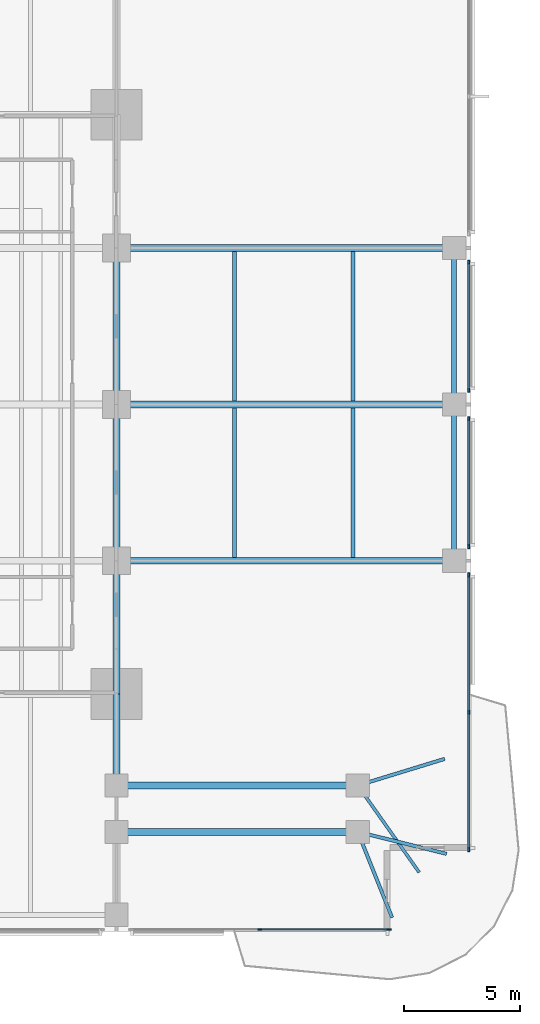
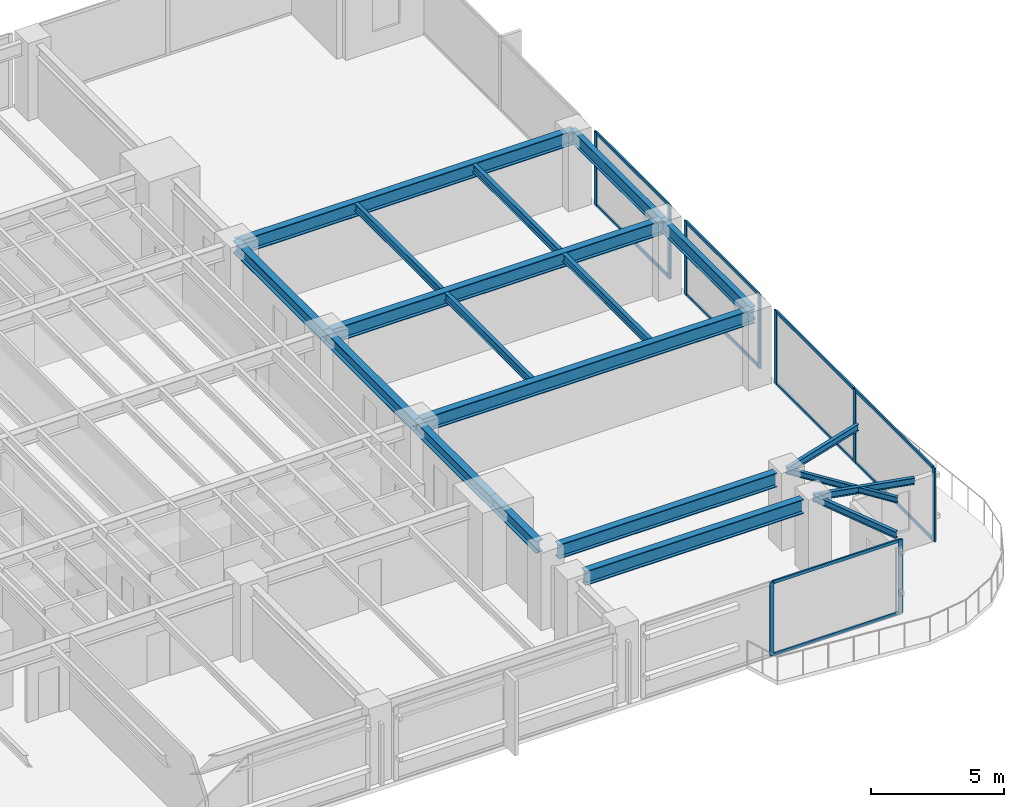
# One storey, part 4 of 15: 19 beams, 19 members, 4 elements without a shape of their own.
"""IFC4 building model written with IfcOpenShell, lengths in metres."""

from ifc_helpers import new_model, si_unit, direction, frame, origin, origin_2d, place, context, subcontext, project, spatial, rectangle, i_section, extrude, material, layer, layer_set, material_profile, profile_set, type_object, element, aggregate, save


model = new_model("IFC4")

# Units and contexts
model_context = context("Model", 3, precision=1e-05, world=origin(), true_north=direction((0.0, 1.0)))
body_context = subcontext(model_context, "Body", "Model", "MODEL_VIEW")
ifc_project = project(units=[si_unit("LENGTHUNIT", "METRE"), si_unit("AREAUNIT", "SQUARE_METRE"), si_unit("VOLUMEUNIT", "CUBIC_METRE"), si_unit("PLANEANGLEUNIT", "RADIAN"), si_unit("MASSUNIT", "GRAM", prefix="KILO")], contexts=[model_context])

# Site, building, storey
site_placement = place(None, origin())
site = spatial("IfcSite", under=ifc_project, at=site_placement, CompositionType="ELEMENT")
building_placement = place(site_placement, origin())
building = spatial("IfcBuilding", under=site, at=building_placement, Name="Kinhvarn Gate Tower", CompositionType="ELEMENT")
storey_placement = place(building_placement, frame((0.0, 0.0, 29.14990234375)))
storey = spatial("IfcBuildingStorey", under=building, at=storey_placement, Name="L06", CompositionType="ELEMENT", Elevation=29.14990234375)

# Curtain wall, members
ifc_material_1 = material(Name="Anodised aluminium AW-6063", Category="aluminium")
ifc_layer = layer(ifc_material_1, 0.179931640625)
ifc_layer_set = layer_set([ifc_layer], Name="Anodised aluminium AW-6063")
curtain_wall_type = type_object("IfcCurtainWallType", Name="CW-SYS-2", PredefinedType="NOTDEFINED", material=ifc_layer_set)
curtain_wall_1_placement = place(storey_placement, origin())
curtain_wall_1 = element("IfcCurtainWall", 1, at=curtain_wall_1_placement, inside=storey, type_object=curtain_wall_type, Name="Curtain Wall CW2 (L06)", PredefinedType="NOTDEFINED")
ifc_material_profile_1 = material_profile(ifc_material_1, rectangle(XDim=0.070068359375, YDim=0.179931640625, at=origin_2d()), Name="ALU 70x180")
ifc_profile_set_1 = profile_set([ifc_material_profile_1], Name="Anodised aluminium AW-6063")
member_type_1 = type_object("IfcMemberType", Name="CW-MUL-180", PredefinedType="MULLION", material=ifc_profile_set_1)
member_1_placement = place(storey_placement, frame((44.389892578125, 2.590087890625, 0.0), z_axis=(0.0, 0.0, 1.0), x_axis=(0.0, 1.0, 0.0)))
member_1 = element("IfcMember", 2, at=member_1_placement, type_object=member_type_1, Name="CW2 mullion 2", PredefinedType="MULLION", context=body_context, shape_type="SweptSolid", body=[
    extrude(rectangle(XDim=0.070068359375, YDim=0.179931640625, at=origin_2d()), origin(), (0.0, 0.0, 1.0), 3.3701171875),
])
member_2_placement = place(storey_placement, frame((49.965087890625, 2.590087890625, 0.0), z_axis=(0.0, 0.0, 1.0), x_axis=(0.0, 1.0, 0.0)))
member_2 = element("IfcMember", 3, at=member_2_placement, type_object=member_type_1, Name="CW2 mullion 3", PredefinedType="MULLION", context=body_context, shape_type="SweptSolid", body=[
    extrude(rectangle(XDim=0.070068359375, YDim=0.179931640625, at=origin_2d()), origin(), (0.0, 0.0, 1.0), 3.3701171875),
])

curtain_wall_2_placement = place(storey_placement, origin())
curtain_wall_2 = element("IfcCurtainWall", 4, at=curtain_wall_2_placement, inside=storey, type_object=curtain_wall_type, Name="Curtain Wall CW2 (L06)", PredefinedType="NOTDEFINED")
member_3_placement = place(storey_placement, frame((53.409912109375, 6.034912109375, 0.0), z_axis=(0.0, 0.0, 1.0), x_axis=(-1.0, 0.0, 0.0)))
member_3 = element("IfcMember", 5, at=member_3_placement, type_object=member_type_1, Name="CW2 mullion 1", PredefinedType="MULLION", context=body_context, shape_type="SweptSolid", body=[
    extrude(rectangle(XDim=0.070068359375, YDim=0.179931640625, at=origin_2d()), origin(), (0.0, 0.0, 1.0), 3.3701171875),
])
member_4_placement = place(storey_placement, frame((53.409912109375, 11.9599609375, 0.0), z_axis=(0.0, 0.0, 1.0), x_axis=(-1.0, 0.0, 0.0)))
member_4 = element("IfcMember", 6, at=member_4_placement, type_object=member_type_1, Name="CW2 mullion 2", PredefinedType="MULLION", context=body_context, shape_type="SweptSolid", body=[
    extrude(rectangle(XDim=0.070068359375, YDim=0.179931640625, at=origin_2d()), origin(), (0.0, 0.0, 1.0), 3.3701171875),
])
member_5_placement = place(storey_placement, frame((53.409912109375, 17.885009765625, 0.0), z_axis=(0.0, 0.0, 1.0), x_axis=(-1.0, 0.0, 0.0)))
member_5 = element("IfcMember", 7, at=member_5_placement, type_object=member_type_1, Name="CW2 mullion 3", PredefinedType="MULLION", context=body_context, shape_type="SweptSolid", body=[
    extrude(rectangle(XDim=0.070068359375, YDim=0.179931640625, at=origin_2d()), origin(), (0.0, 0.0, 1.0), 3.3701171875),
])

curtain_wall_3_placement = place(storey_placement, origin())
curtain_wall_3 = element("IfcCurtainWall", 8, at=curtain_wall_3_placement, inside=storey, type_object=curtain_wall_type, Name="Curtain Wall CW2 (L06)", PredefinedType="NOTDEFINED")
member_6_placement = place(storey_placement, frame((53.409912109375, 19.114990234375, 0.0), z_axis=(0.0, 0.0, 1.0), x_axis=(-1.0, 0.0, 0.0)))
member_6 = element("IfcMember", 9, at=member_6_placement, type_object=member_type_1, Name="CW2 mullion 1", PredefinedType="MULLION", context=body_context, shape_type="SweptSolid", body=[
    extrude(rectangle(XDim=0.070068359375, YDim=0.179931640625, at=origin_2d()), origin(), (0.0, 0.0, 1.0), 3.3701171875),
])
member_7_placement = place(storey_placement, frame((53.409912109375, 24.635009765625, 0.0), z_axis=(0.0, 0.0, 1.0), x_axis=(-1.0, 0.0, 0.0)))
member_7 = element("IfcMember", 10, at=member_7_placement, type_object=member_type_1, Name="CW2 mullion 2", PredefinedType="MULLION", context=body_context, shape_type="SweptSolid", body=[
    extrude(rectangle(XDim=0.070068359375, YDim=0.179931640625, at=origin_2d()), origin(), (0.0, 0.0, 1.0), 3.3701171875),
])

curtain_wall_4_placement = place(storey_placement, origin())
curtain_wall_4 = element("IfcCurtainWall", 11, at=curtain_wall_4_placement, inside=storey, type_object=curtain_wall_type, Name="Curtain Wall CW2 (L06)", PredefinedType="NOTDEFINED")
member_8_placement = place(storey_placement, frame((53.409912109375, 25.864990234375, 0.0), z_axis=(0.0, 0.0, 1.0), x_axis=(-1.0, 0.0, 0.0)))
member_8 = element("IfcMember", 12, at=member_8_placement, type_object=member_type_1, Name="CW2 mullion 1", PredefinedType="MULLION", context=body_context, shape_type="SweptSolid", body=[
    extrude(rectangle(XDim=0.070068359375, YDim=0.179931640625, at=origin_2d()), origin(), (0.0, 0.0, 1.0), 3.3701171875),
])
member_9_placement = place(storey_placement, frame((53.409912109375, 31.385009765625, 0.0), z_axis=(0.0, 0.0, 1.0), x_axis=(-1.0, 0.0, 0.0)))
member_9 = element("IfcMember", 13, at=member_9_placement, type_object=member_type_1, Name="CW2 mullion 2", PredefinedType="MULLION", context=body_context, shape_type="SweptSolid", body=[
    extrude(rectangle(XDim=0.070068359375, YDim=0.179931640625, at=origin_2d()), origin(), (0.0, 0.0, 1.0), 3.3701171875),
])

# Member
ifc_material_profile_2 = material_profile(ifc_material_1, rectangle(XDim=0.070068359375, YDim=0.139892578125, at=origin_2d()), Name="ALU 70x140")
ifc_profile_set_2 = profile_set([ifc_material_profile_2], Name="Anodised aluminium AW-6063")
member_type_2 = type_object("IfcMemberType", Name="CW-TRN-140", PredefinedType="USERDEFINED", material=ifc_profile_set_2)
member_10_placement = place(storey_placement, frame((44.425048828125, 2.590087890625, 0.03515625), z_axis=(1.0, 0.0, 0.0), x_axis=(0.0, 1.0, 0.0)))
member_10 = element("IfcMember", 14, at=member_10_placement, type_object=member_type_2, Name="CW2 transom 2.1", ObjectType="TRANSOM", PredefinedType="USERDEFINED", context=body_context, shape_type="SweptSolid", body=[
    extrude(rectangle(XDim=0.070068359375, YDim=0.139892578125, at=origin_2d()), origin(), (0.0, 0.0, 1.0), 5.5048828125),
])

member_11_placement = place(storey_placement, frame((44.425048828125, 2.590087890625, 3.335205078125), z_axis=(1.0, 0.0, 0.0), x_axis=(0.0, 1.0, 0.0)))
member_11 = element("IfcMember", 15, at=member_11_placement, type_object=member_type_2, Name="CW2 transom 2.2", ObjectType="TRANSOM", PredefinedType="USERDEFINED", context=body_context, shape_type="SweptSolid", body=[
    extrude(rectangle(XDim=0.070068359375, YDim=0.139892578125, at=origin_2d()), origin(), (0.0, 0.0, 1.0), 5.5048828125),
])

aggregate(curtain_wall_1, [member_1, member_2, member_10, member_11])

member_12_placement = place(storey_placement, frame((53.409912109375, 6.070068359375, 0.03515625), z_axis=(0.0, 1.0, 0.0), x_axis=(-1.0, 0.0, 0.0)))
member_12 = element("IfcMember", 16, at=member_12_placement, type_object=member_type_2, Name="CW2 transom 1.1", ObjectType="TRANSOM", PredefinedType="USERDEFINED", context=body_context, shape_type="SweptSolid", body=[
    extrude(rectangle(XDim=0.070068359375, YDim=0.139892578125, at=origin_2d()), origin(), (0.0, 0.0, 1.0), 5.85498046875),
])

member_13_placement = place(storey_placement, frame((53.409912109375, 6.070068359375, 3.335205078125), z_axis=(0.0, 1.0, 0.0), x_axis=(-1.0, 0.0, 0.0)))
member_13 = element("IfcMember", 17, at=member_13_placement, type_object=member_type_2, Name="CW2 transom 1.2", ObjectType="TRANSOM", PredefinedType="USERDEFINED", context=body_context, shape_type="SweptSolid", body=[
    extrude(rectangle(XDim=0.070068359375, YDim=0.139892578125, at=origin_2d()), origin(), (0.0, 0.0, 1.0), 5.85498046875),
])

member_14_placement = place(storey_placement, frame((53.409912109375, 11.9951171875, 0.03515625), z_axis=(0.0, 1.0, 0.0), x_axis=(-1.0, 0.0, 0.0)))
member_14 = element("IfcMember", 18, at=member_14_placement, type_object=member_type_2, Name="CW2 transom 2.1", ObjectType="TRANSOM", PredefinedType="USERDEFINED", context=body_context, shape_type="SweptSolid", body=[
    extrude(rectangle(XDim=0.070068359375, YDim=0.139892578125, at=origin_2d()), origin(), (0.0, 0.0, 1.0), 5.85498046875),
])

member_15_placement = place(storey_placement, frame((53.409912109375, 11.9951171875, 3.335205078125), z_axis=(0.0, 1.0, 0.0), x_axis=(-1.0, 0.0, 0.0)))
member_15 = element("IfcMember", 19, at=member_15_placement, type_object=member_type_2, Name="CW2 transom 2.2", ObjectType="TRANSOM", PredefinedType="USERDEFINED", context=body_context, shape_type="SweptSolid", body=[
    extrude(rectangle(XDim=0.070068359375, YDim=0.139892578125, at=origin_2d()), origin(), (0.0, 0.0, 1.0), 5.85498046875),
])

aggregate(curtain_wall_2, [member_3, member_4, member_5, member_12, member_13, member_14, member_15])

member_16_placement = place(storey_placement, frame((53.409912109375, 19.14990234375, 0.03515625), z_axis=(0.0, 1.0, 0.0), x_axis=(-1.0, 0.0, 0.0)))
member_16 = element("IfcMember", 20, at=member_16_placement, type_object=member_type_2, Name="CW2 transom 1.1", ObjectType="TRANSOM", PredefinedType="USERDEFINED", context=body_context, shape_type="SweptSolid", body=[
    extrude(rectangle(XDim=0.070068359375, YDim=0.139892578125, at=origin_2d()), origin(), (0.0, 0.0, 1.0), 5.4501953125),
])

member_17_placement = place(storey_placement, frame((53.409912109375, 19.14990234375, 3.335205078125), z_axis=(0.0, 1.0, 0.0), x_axis=(-1.0, 0.0, 0.0)))
member_17 = element("IfcMember", 21, at=member_17_placement, type_object=member_type_2, Name="CW2 transom 1.2", ObjectType="TRANSOM", PredefinedType="USERDEFINED", context=body_context, shape_type="SweptSolid", body=[
    extrude(rectangle(XDim=0.070068359375, YDim=0.139892578125, at=origin_2d()), origin(), (0.0, 0.0, 1.0), 5.4501953125),
])

aggregate(curtain_wall_3, [member_6, member_7, member_16, member_17])

member_18_placement = place(storey_placement, frame((53.409912109375, 25.89990234375, 0.03515625), z_axis=(0.0, 1.0, 0.0), x_axis=(-1.0, 0.0, 0.0)))
member_18 = element("IfcMember", 22, at=member_18_placement, type_object=member_type_2, Name="CW2 transom 1.1", ObjectType="TRANSOM", PredefinedType="USERDEFINED", context=body_context, shape_type="SweptSolid", body=[
    extrude(rectangle(XDim=0.070068359375, YDim=0.139892578125, at=origin_2d()), origin(), (0.0, 0.0, 1.0), 5.4501953125),
])

member_19_placement = place(storey_placement, frame((53.409912109375, 25.89990234375, 3.335205078125), z_axis=(0.0, 1.0, 0.0), x_axis=(-1.0, 0.0, 0.0)))
member_19 = element("IfcMember", 23, at=member_19_placement, type_object=member_type_2, Name="CW2 transom 1.2", ObjectType="TRANSOM", PredefinedType="USERDEFINED", context=body_context, shape_type="SweptSolid", body=[
    extrude(rectangle(XDim=0.070068359375, YDim=0.139892578125, at=origin_2d()), origin(), (0.0, 0.0, 1.0), 5.4501953125),
])

aggregate(curtain_wall_4, [member_8, member_9, member_18, member_19])

# Beams
ifc_material_2 = material(Name="Steel S355", Category="steel")
ifc_material_profile_3 = material_profile(ifc_material_2, i_section(OverallWidth=0.300048828125, OverallDepth=0.550048828125, WebThickness=0.014892578125, FlangeThickness=0.029052734375, at=origin_2d()), Name="HEB 550")
ifc_profile_set_3 = profile_set([ifc_material_profile_3], Name="Steel S355")
beam_type_1 = type_object("IfcBeamType", Name="STL-HEB550", PredefinedType="BEAM", material=ifc_profile_set_3)
beam_1_placement = place(storey_placement, frame((38.199951171875, 9.284912109375, 3.09521484375), z_axis=(0.0, 1.0, 0.0), x_axis=(-1.0, 0.0, 0.0)))
element("IfcBeam", 24, at=beam_1_placement, inside=storey, type_object=beam_type_1, Name="Floor Beam PG-15 (L06 MCE-S-A2)", PredefinedType="BEAM", context=body_context, shape_type="SweptSolid", body=[
    extrude(i_section(OverallWidth=0.300048828125, OverallDepth=0.550048828125, WebThickness=0.014892578125, FlangeThickness=0.029052734375, at=origin_2d()), origin(), (0.0, 0.0, 1.0), 3.465087890625),
])
beam_2_placement = place(storey_placement, frame((38.199951171875, 12.75, 3.09521484375), z_axis=(0.0, 1.0, 0.0), x_axis=(-1.0, 0.0, 0.0)))
element("IfcBeam", 25, at=beam_2_placement, inside=storey, type_object=beam_type_1, Name="Floor Beam PG-15 (L06 MG-E-12)", PredefinedType="BEAM", context=body_context, shape_type="SweptSolid", body=[
    extrude(i_section(OverallWidth=0.300048828125, OverallDepth=0.550048828125, WebThickness=0.014892578125, FlangeThickness=0.029052734375, at=origin_2d()), origin(), (0.0, 0.0, 1.0), 5.75),
])
for number, where, z_axis, x_axis, name in (
    (26, (38.199951171875, 18.5, 3.09521484375), (0.0, 1.0, 0.0), (-1.0, 0.0, 0.0), "Floor Beam PG-15 (L06 MG-E-18)"),
    (27, (38.199951171875, 25.25, 3.09521484375), (0.0, 1.0, 0.0), (-1.0, 0.0, 0.0), "Floor Beam PG-15 (L06 MG-E-25)"),
):
    element("IfcBeam", number, at=place(storey_placement, frame(where, z_axis=z_axis, x_axis=x_axis)), inside=storey, type_object=beam_type_1, Name=name, PredefinedType="BEAM", context=body_context, shape_type="SweptSolid", body=[
        extrude(i_section(OverallWidth=0.300048828125, OverallDepth=0.550048828125, WebThickness=0.014892578125, FlangeThickness=0.029052734375, at=origin_2d()), origin(), (0.0, 0.0, 1.0), 6.75),
    ])
ifc_material_profile_4 = material_profile(ifc_material_2, i_section(OverallWidth=0.300048828125, OverallDepth=0.64990234375, WebThickness=0.01611328125, FlangeThickness=0.031005859375, at=origin_2d()), Name="HEB 650")
ifc_profile_set_4 = profile_set([ifc_material_profile_4], Name="Steel S355")
beam_type_2 = type_object("IfcBeamType", Name="STL-HEB650", PredefinedType="BEAM", material=ifc_profile_set_4)
for number, where, z_axis, x_axis, name in (
    (28, (38.68505859375, 8.800048828125, 3.045166015625), (1.0, 0.0, 0.0), (0.0, 1.0, 0.0), "Floor Beam PG-17 (L06 SP-SE1B)"),
    (29, (38.68505859375, 6.800048828125, 3.045166015625), (1.0, 0.0, 0.0), (0.0, 1.0, 0.0), "Floor Beam PG-17 (L06 SP-SE1A)"),
):
    element("IfcBeam", number, at=place(storey_placement, frame(where, z_axis=z_axis, x_axis=x_axis)), inside=storey, type_object=beam_type_2, Name=name, PredefinedType="BEAM", context=body_context, shape_type="SweptSolid", body=[
        extrude(i_section(OverallWidth=0.300048828125, OverallDepth=0.64990234375, WebThickness=0.01611328125, FlangeThickness=0.031005859375, at=origin_2d()), origin(), (0.0, 0.0, 1.0), 9.449951171875),
    ])
for number, where, z_axis, x_axis, name in (
    (30, (38.199951171875, 18.5, 3.045166015625), (1.0, 0.0, 0.0), (0.0, 1.0, 0.0), "Floor Beam PG-17 (L06 EW2-Y18)"),
    (31, (38.199951171875, 25.25, 3.045166015625), (1.0, 0.0, 0.0), (0.0, 1.0, 0.0), "Floor Beam PG-17 (L06 EW2-Y25)"),
    (32, (38.199951171875, 32.0, 3.045166015625), (1.0, 0.0, 0.0), (0.0, 1.0, 0.0), "Floor Beam PG-17 (L06 EW2-Y32)"),
):
    element("IfcBeam", number, at=place(storey_placement, frame(where, z_axis=z_axis, x_axis=x_axis)), inside=storey, type_object=beam_type_2, Name=name, PredefinedType="BEAM", context=body_context, shape_type="SweptSolid", body=[
        extrude(i_section(OverallWidth=0.300048828125, OverallDepth=0.64990234375, WebThickness=0.01611328125, FlangeThickness=0.031005859375, at=origin_2d()), origin(), (0.0, 0.0, 1.0), 14.580078125),
    ])
ifc_material_profile_5 = material_profile(ifc_material_2, i_section(OverallWidth=0.135009765625, OverallDepth=0.27001953125, WebThickness=0.006591796875, FlangeThickness=0.01025390625, at=origin_2d()), Name="IPE 270")
ifc_profile_set_5 = profile_set([ifc_material_profile_5], Name="Steel S355")
beam_type_3 = type_object("IfcBeamType", Name="STL-IPE270", PredefinedType="JOIST", material=ifc_profile_set_5)
beam_3_placement = place(storey_placement, frame((48.6201171875, 8.800048828125, 3.235107421875), z_axis=(0.57709644225, -0.81667600451, 0.0), x_axis=(0.81667600451, 0.57709644225, 0.0)))
element("IfcBeam", 33, at=beam_3_placement, inside=storey, type_object=beam_type_3, Name="Floor Joist SB-01 (L06 BAL-B3-L07)", PredefinedType="JOIST", context=body_context, shape_type="SweptSolid", body=[
    extrude(i_section(OverallWidth=0.135009765625, OverallDepth=0.27001953125, WebThickness=0.006591796875, FlangeThickness=0.01025390625, at=origin_2d()), origin(), (0.0, 0.0, 1.0), 4.591796875),
])
ifc_material_profile_6 = material_profile(ifc_material_2, i_section(OverallWidth=0.14990234375, OverallDepth=0.300048828125, WebThickness=0.007080078125, FlangeThickness=0.0107421875, at=origin_2d()), Name="IPE 300")
ifc_profile_set_6 = profile_set([ifc_material_profile_6], Name="Steel S355")
beam_type_4 = type_object("IfcBeamType", Name="STL-IPE300", PredefinedType="JOIST", material=ifc_profile_set_6)
beam_4_placement = place(storey_placement, frame((48.6201171875, 6.800048828125, 3.22021484375), z_axis=(0.97058851083, -0.240744558911, 0.0), x_axis=(0.240744558911, 0.97058851083, 0.0)))
element("IfcBeam", 34, at=beam_4_placement, inside=storey, type_object=beam_type_4, Name="Floor Joist SB-02 (L06 BAL-B1-L07)", PredefinedType="JOIST", context=body_context, shape_type="SweptSolid", body=[
    extrude(i_section(OverallWidth=0.14990234375, OverallDepth=0.300048828125, WebThickness=0.007080078125, FlangeThickness=0.0107421875, at=origin_2d()), origin(), (0.0, 0.0, 1.0), 3.94580078125),
])
beam_5_placement = place(storey_placement, frame((48.6201171875, 6.800048828125, 3.22021484375), z_axis=(0.371390676354, -0.928476690885, 0.0), x_axis=(0.928476690885, 0.371390676354, 0.0)))
element("IfcBeam", 35, at=beam_5_placement, inside=storey, type_object=beam_type_4, Name="Floor Joist SB-02 (L06 BAL-B2-L07)", PredefinedType="JOIST", context=body_context, shape_type="SweptSolid", body=[
    extrude(i_section(OverallWidth=0.14990234375, OverallDepth=0.300048828125, WebThickness=0.007080078125, FlangeThickness=0.0107421875, at=origin_2d()), origin(), (0.0, 0.0, 1.0), 3.98486328125),
])
beam_6_placement = place(storey_placement, frame((48.6201171875, 8.800048828125, 3.22021484375), z_axis=(0.95606118681, 0.293167199862, 0.0), x_axis=(-0.293167199862, 0.95606118681, 0.0)))
element("IfcBeam", 36, at=beam_6_placement, inside=storey, type_object=beam_type_4, Name="Floor Joist SB-02 (L06 BAL-B5-L07)", PredefinedType="JOIST", context=body_context, shape_type="SweptSolid", body=[
    extrude(i_section(OverallWidth=0.14990234375, OverallDepth=0.300048828125, WebThickness=0.007080078125, FlangeThickness=0.0107421875, at=origin_2d()), origin(), (0.0, 0.0, 1.0), 3.92236328125),
])
ifc_material_profile_7 = material_profile(ifc_material_2, i_section(OverallWidth=0.169921875, OverallDepth=0.360107421875, WebThickness=0.008056640625, FlangeThickness=0.0126953125, at=origin_2d()), Name="IPE 360")
ifc_profile_set_7 = profile_set([ifc_material_profile_7], Name="Steel S355")
beam_type_5 = type_object("IfcBeamType", Name="STL-IPE360", PredefinedType="JOIST", material=ifc_profile_set_7)
for number, where, z_axis, x_axis, name in (
    (37, (43.300048828125, 18.64990234375, 3.190185546875), (0.0, 1.0, 0.0), (-1.0, 0.0, 0.0), "Floor Joist SB-04 (L06 JC-X433-1)"),
    (38, (43.300048828125, 25.39990234375, 3.190185546875), (0.0, 1.0, 0.0), (-1.0, 0.0, 0.0), "Floor Joist SB-04 (L06 JC-X433-2)"),
    (39, (48.409912109375, 18.64990234375, 3.190185546875), (0.0, 1.0, 0.0), (-1.0, 0.0, 0.0), "Floor Joist SB-04 (L06 JC-X484-1)"),
    (40, (48.409912109375, 25.39990234375, 3.190185546875), (0.0, 1.0, 0.0), (-1.0, 0.0, 0.0), "Floor Joist SB-04 (L06 JC-X484-2)"),
):
    element("IfcBeam", number, at=place(storey_placement, frame(where, z_axis=z_axis, x_axis=x_axis)), inside=storey, type_object=beam_type_5, Name=name, PredefinedType="JOIST", context=body_context, shape_type="SweptSolid", body=[
        extrude(i_section(OverallWidth=0.169921875, OverallDepth=0.360107421875, WebThickness=0.008056640625, FlangeThickness=0.0126953125, at=origin_2d()), origin(), (0.0, 0.0, 1.0), 6.4501953125),
    ])
ifc_material_profile_8 = material_profile(ifc_material_2, i_section(OverallWidth=0.219970703125, OverallDepth=0.60009765625, WebThickness=0.011962890625, FlangeThickness=0.01904296875, at=origin_2d()), Name="IPE 600")
ifc_profile_set_8 = profile_set([ifc_material_profile_8], Name="Steel S355")
beam_type_6 = type_object("IfcBeamType", Name="STL-IPE600", PredefinedType="SPANDREL", material=ifc_profile_set_8)
for number, where, z_axis, x_axis, name in (
    (41, (52.780029296875, 18.5, 3.070068359375), (0.0, 1.0, 0.0), (-1.0, 0.0, 0.0), "Floor Spandrel SB-09 (L06 SP-E2)"),
    (42, (52.780029296875, 25.25, 3.070068359375), (0.0, 1.0, 0.0), (-1.0, 0.0, 0.0), "Floor Spandrel SB-09 (L06 SP-E3)"),
):
    element("IfcBeam", number, at=place(storey_placement, frame(where, z_axis=z_axis, x_axis=x_axis)), inside=storey, type_object=beam_type_6, Name=name, PredefinedType="SPANDREL", context=body_context, shape_type="SweptSolid", body=[
        extrude(i_section(OverallWidth=0.219970703125, OverallDepth=0.60009765625, WebThickness=0.011962890625, FlangeThickness=0.01904296875, at=origin_2d()), origin(), (0.0, 0.0, 1.0), 6.75),
    ])

save(model, "model.ifc")
